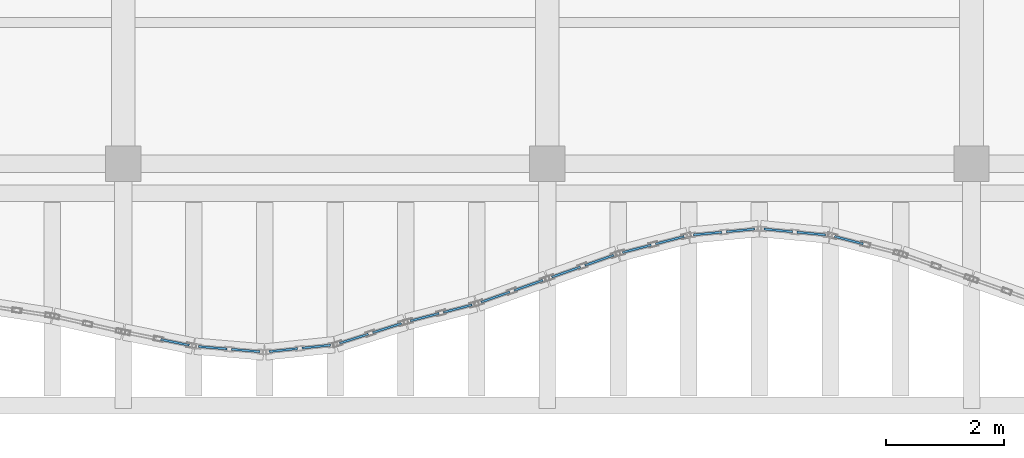
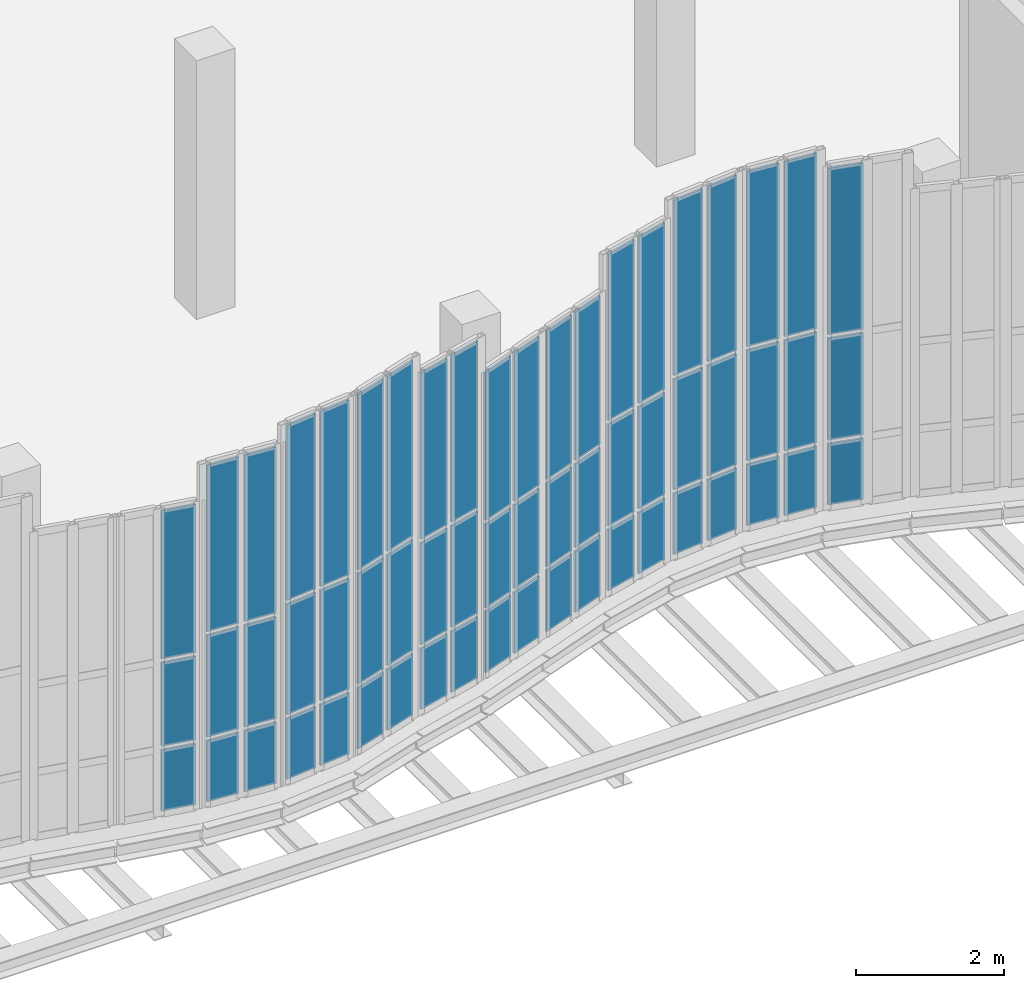
# One storey, part 57 of 76: 60 plates, 11 elements without a shape of their own.
"""IFC4 building model written with IfcOpenShell, lengths in metres."""

import ifcopenshell
import ifcopenshell.guid

model = None  # the IFC model being written
_history = None  # IfcOwnerHistory: only IFC2X3 demands one
_inside = {}  # id of a spatial element -> (the spatial element, [elements in it])
_under = {}  # id of a project, library or spatial element -> (it, [spatial elements below it])
_declared = {}  # id of a project -> (the project, [libraries it declares])
_typed = {}  # id of a type object -> (the type object, [elements of that type])
_made_of = {}  # id of a material, layer set ... -> (it, [elements and type objects made of it])


def new_model(schema):
    """Start an empty IFC model of exactly this schema.

    Asked for "IFC4X3", IfcOpenShell would pick the latest addendum, in which some entities
    have other attributes; the version numbers below select the first issue.
    IFC2X3 requires an IfcOwnerHistory on every rooted entity: one is made here for all.
    """
    global model, _history
    if schema == "IFC4X3":
        model = ifcopenshell.file(schema_version=(4, 3, 0, 0))
    else:
        model = ifcopenshell.file(schema=schema)
    _inside.clear()
    _under.clear()
    _declared.clear()
    _typed.clear()
    _made_of.clear()
    _history = None
    if model.schema == "IFC2X3":
        org = make("IfcOrganization", Name="unknown")
        user = make(
            "IfcPersonAndOrganization",
            ThePerson=make("IfcPerson", FamilyName="unknown"),
            TheOrganization=org,
        )
        app = make(
            "IfcApplication",
            ApplicationDeveloper=org,
            Version="unknown",
            ApplicationFullName="unknown",
            ApplicationIdentifier="unknown",
        )
        _history = make(
            "IfcOwnerHistory",
            OwningUser=user,
            OwningApplication=app,
            ChangeAction="ADDED",
            CreationDate=0,
        )
    return model


def make(cls, **values):
    """One entity of the class cls with the attributes given. An attribute that is None is left unset."""
    return model.create_entity(
        cls, **{name: value for name, value in values.items() if value is not None}
    )


def rooted(cls, **values):
    """An entity with a GlobalId (a new one), such as an element, a storey or a relation."""
    return make(cls, GlobalId=ifcopenshell.guid.new(), OwnerHistory=_history, **values)


def si_unit(unit_type, name, prefix=None):
    """IfcSIUnit, for example si_unit("LENGTHUNIT", "METRE", prefix="MILLI")."""
    return make("IfcSIUnit", UnitType=unit_type, Prefix=prefix, Name=name)


def assignment(units):
    """IfcUnitAssignment: the units of a project."""
    return None if units is None else make("IfcUnitAssignment", Units=units)


def point(xyz):
    """IfcCartesianPoint."""
    return None if xyz is None else make("IfcCartesianPoint", Coordinates=xyz)


def direction(xyz):
    """IfcDirection."""
    return None if xyz is None else make("IfcDirection", DirectionRatios=xyz)


def frame(location, z_axis=None, x_axis=None):
    """IfcAxis2Placement3D, a coordinate frame: its origin and axes. An axis left out is left unset."""
    return make(
        "IfcAxis2Placement3D",
        Location=point(location),
        Axis=direction(z_axis),
        RefDirection=direction(x_axis),
    )


def frame_2d(location, x_axis=None):
    """IfcAxis2Placement2D, a coordinate frame in the plane: its origin and x axis."""
    return make(
        "IfcAxis2Placement2D", Location=point(location), RefDirection=direction(x_axis)
    )


def origin():
    """The frame at (0, 0, 0) with its axes left unset."""
    return frame((0.0, 0.0, 0.0))


def origin_2d():
    """The frame at (0, 0) in the plane with its x axis left unset."""
    return frame_2d((0.0, 0.0))


def place(relative_to, where):
    """IfcLocalPlacement: puts the frame where relative to a parent placement (None: the world)."""
    return make(
        "IfcLocalPlacement", PlacementRelTo=relative_to, RelativePlacement=where
    )


def context(
    kind, dimensions, precision=None, world=None, true_north=None, identifier=None
):
    """IfcGeometricRepresentationContext, for example the 3D "Model" context."""
    return make(
        "IfcGeometricRepresentationContext",
        ContextIdentifier=identifier,
        ContextType=kind,
        CoordinateSpaceDimension=dimensions,
        Precision=precision,
        WorldCoordinateSystem=world,
        TrueNorth=true_north,
    )


def subcontext(parent, identifier, kind, view, scale=None):
    """IfcGeometricRepresentationSubContext, for example "Body" below "Model"."""
    return make(
        "IfcGeometricRepresentationSubContext",
        ContextIdentifier=identifier,
        ContextType=kind,
        ParentContext=parent,
        TargetScale=scale,
        TargetView=view,
    )


def project(units=None, contexts=None):
    """IfcProject with its units and contexts."""
    return rooted(
        "IfcProject",
        Name="project",
        RepresentationContexts=contexts,
        UnitsInContext=assignment(units),
    )


def spatial(cls, under=None, at=None, **own):
    """A site, building, storey or space (cls), placed at a placement, below another one or the project."""
    s = rooted(cls, ObjectPlacement=at, **own)
    if under is not None:
        _under.setdefault(under.id(), (under, []))[1].append(s)
    return s


def profile(cls, at=None, kind="AREA", **sizes):
    """A parametric profile (cls). Its sizes go by their IFC names, for example OverallWidth=200.0."""
    return make(cls, ProfileType=kind, Position=at, **sizes)


def rectangle(**sizes):
    """IfcRectangleProfileDef."""
    return profile("IfcRectangleProfileDef", **sizes)


def extrude(swept, where, along, depth):
    """IfcExtrudedAreaSolid: the profile swept, set in the frame where, extruded along a direction by depth."""
    return make(
        "IfcExtrudedAreaSolid",
        SweptArea=swept,
        Position=where,
        ExtrudedDirection=direction(along),
        Depth=depth,
    )


def shape(context_of_items, identifier, shape_type, items):
    """IfcShapeRepresentation: the items that make up one representation, for example the "Body"."""
    return make(
        "IfcShapeRepresentation",
        ContextOfItems=context_of_items,
        RepresentationIdentifier=identifier,
        RepresentationType=shape_type,
        Items=items,
    )


def material(Name=None, Category=None):
    """IfcMaterial."""
    return make("IfcMaterial", Name=Name, Category=Category)


def layer(
    of_material, thickness, ventilated=None, Name=None, Category=None, Priority=None
):
    """IfcMaterialLayer: one layer of a wall or slab, of a material (None: an air gap)."""
    return make(
        "IfcMaterialLayer",
        Material=of_material,
        LayerThickness=thickness,
        IsVentilated=ventilated,
        Name=Name,
        Category=Category,
        Priority=Priority,
    )


def layer_set(layers, Name=None):
    """IfcMaterialLayerSet."""
    return make("IfcMaterialLayerSet", MaterialLayers=layers, LayerSetName=Name)


def made_of(thing, what):
    """Note that an element or type object is made of a material, layer set ...; save() writes the relation."""
    if what is not None:
        _made_of.setdefault(what.id(), (what, []))[1].append(thing)
    return thing


def type_object(cls, material=None, **own):
    """A type object (cls), such as IfcWallType, which elements share."""
    return made_of(rooted(cls, **own), material)


def element(
    cls,
    number,
    at=None,
    inside=None,
    cuts=None,
    type_object=None,
    material=None,
    context=None,
    identifier="Body",
    shape_type=None,
    held_by="IfcProductDefinitionShape",
    body=None,
    shapes=None,
    **own,
):
    """One element of the class cls, such as IfcWall. Its Tag is "e" and its number.

    at: its placement. inside: the storey or other place that contains it. cuts: it is an
    opening in that element (IfcRelVoidsElement). A single representation is given by context,
    identifier, shape_type and body (its items); several are given by shapes. held_by: the class
    of the entity that holds the representations. save() writes the other relations.
    """
    e = rooted(cls, Tag="e%d" % number, ObjectPlacement=at, **own)
    if body is not None:
        shapes = [shape(context, identifier, shape_type, body)]
    if shapes is not None:
        e.Representation = make(held_by, Representations=shapes)
    if inside is not None:
        _inside.setdefault(inside.id(), (inside, []))[1].append(e)
    if cuts is not None:
        rooted(
            "IfcRelVoidsElement", RelatingBuildingElement=cuts, RelatedOpeningElement=e
        )
    if type_object is not None:
        _typed.setdefault(type_object.id(), (type_object, []))[1].append(e)
    return made_of(e, material)


def aggregate(whole, parts):
    """IfcRelAggregates: a whole, such as a stair, and the parts it consists of."""
    return rooted("IfcRelAggregates", RelatingObject=whole, RelatedObjects=parts)


def save(model, path):
    """Write the relations noted so far, then the file.

    IfcRelAggregates (storeys below a building ...), IfcRelContainedInSpatialStructure (elements
    in a storey), IfcRelDefinesByType, IfcRelAssociatesMaterial and IfcRelDeclares: one each for
    every whole, place, type object, material and project.
    """
    for whole, parts in _under.values():
        aggregate(whole, parts)
    for where, things in _inside.values():
        rooted(
            "IfcRelContainedInSpatialStructure",
            RelatedElements=things,
            RelatingStructure=where,
        )
    for kind, things in _typed.values():
        rooted("IfcRelDefinesByType", RelatedObjects=things, RelatingType=kind)
    for what, things in _made_of.values():
        rooted("IfcRelAssociatesMaterial", RelatedObjects=things, RelatingMaterial=what)
    for by, libraries in _declared.values():
        rooted("IfcRelDeclares", RelatingContext=by, RelatedDefinitions=libraries)
    model.write(path)


model = new_model("IFC4")

# Units and contexts
model_context = context("Model", 3, precision=1e-05, world=origin(), true_north=direction((0.0, 1.0)))
body_context = subcontext(model_context, "Body", "Model", "MODEL_VIEW")
ifc_project = project(units=[si_unit("LENGTHUNIT", "METRE"), si_unit("AREAUNIT", "SQUARE_METRE"), si_unit("VOLUMEUNIT", "CUBIC_METRE"), si_unit("PLANEANGLEUNIT", "RADIAN"), si_unit("MASSUNIT", "GRAM", prefix="KILO"), si_unit("THERMODYNAMICTEMPERATUREUNIT", "KELVIN"), si_unit("POWERUNIT", "WATT")], contexts=[model_context])

# Site, building, storey
site_placement = place(None, origin())
site = spatial("IfcSite", under=ifc_project, at=site_placement, CompositionType="ELEMENT")
building_placement = place(site_placement, origin())
building = spatial("IfcBuilding", under=site, at=building_placement, Name="Kaldorven Railside Theatre", CompositionType="ELEMENT")
storey_placement = place(building_placement, frame((0.0, 0.0, 14.39990234375)))
storey = spatial("IfcBuildingStorey", under=building, at=storey_placement, Name="L03", CompositionType="ELEMENT", Elevation=14.39990234375)

# Curtain wall, plates
ifc_material = material(Name="Low-E laminated solar-control glass", Category="glass")
ifc_layer_1 = layer(ifc_material, 0.159912109375, Name="Low-E laminated solar-control glass")
ifc_layer_set_1 = layer_set([ifc_layer_1], Name="Low-E laminated solar-control glass")
curtain_wall_type_1 = type_object("IfcCurtainWallType", Name="CWT-20", PredefinedType="USERDEFINED", material=ifc_layer_set_1)
curtain_wall_1_placement = place(storey_placement, origin())
curtain_wall_1 = element("IfcCurtainWall", 1, at=curtain_wall_1_placement, inside=storey, type_object=curtain_wall_type_1, Name="Sinusoidal Fluted Curtain Wall CW-L03-S43", ObjectType="FLUTED GLAZING", PredefinedType="USERDEFINED")
ifc_layer_2 = layer(ifc_material, 0.035888671875, Name="Low-E laminated solar-control glass")
ifc_layer_set_2 = layer_set([ifc_layer_2], Name="Low-E laminated solar-control glass")
plate_type = type_object("IfcPlateType", Name="CWP-CREST36", PredefinedType="CURTAIN_PANEL", material=ifc_layer_set_2)
plate_1_placement = place(storey_placement, frame((88.080322265625, 16.169189453125, 0.06005859375), z_axis=(0.0, 0.0, 1.0), x_axis=(0.980122525097, -0.198393134453, 0.0)))
plate_1 = element("IfcPlate", 2, at=plate_1_placement, type_object=plate_type, Name="CW-L03-S43 panel 2.1", PredefinedType="CURTAIN_PANEL", context=body_context, shape_type="SweptSolid", body=[
    extrude(rectangle(XDim=0.4921875, YDim=0.035888671875, at=origin_2d()), origin(), (0.0, 0.0, 1.0), 1.010009765625),
])
plate_2_placement = place(storey_placement, frame((88.080322265625, 16.169189453125, 1.1298828125), z_axis=(0.0, 0.0, 1.0), x_axis=(0.980122525097, -0.198393134453, 0.0)))
plate_2 = element("IfcPlate", 3, at=plate_2_placement, type_object=plate_type, Name="CW-L03-S43 panel 2.2", PredefinedType="CURTAIN_PANEL", context=body_context, shape_type="SweptSolid", body=[
    extrude(rectangle(XDim=0.4921875, YDim=0.035888671875, at=origin_2d()), origin(), (0.0, 0.0, 1.0), 1.385009765625),
])
plate_3_placement = place(storey_placement, frame((88.080322265625, 16.169189453125, 2.574951171875), z_axis=(0.0, 0.0, 1.0), x_axis=(0.980122525097, -0.198393134453, 0.0)))
plate_3 = element("IfcPlate", 4, at=plate_3_placement, type_object=plate_type, Name="CW-L03-S43 panel 2.3", PredefinedType="CURTAIN_PANEL", context=body_context, shape_type="SweptSolid", body=[
    extrude(rectangle(XDim=0.4921875, YDim=0.035888671875, at=origin_2d()), origin(), (0.0, 0.0, 1.0), 2.455078125),
])
aggregate(curtain_wall_1, [plate_1, plate_2, plate_3])

ifc_layer_3 = layer(ifc_material, 0.159912109375, Name="Low-E laminated solar-control glass")
ifc_layer_set_3 = layer_set([ifc_layer_3], Name="Low-E laminated solar-control glass")
curtain_wall_type_2 = type_object("IfcCurtainWallType", Name="CWT-21", PredefinedType="USERDEFINED", material=ifc_layer_set_3)
curtain_wall_2_placement = place(storey_placement, origin())
curtain_wall_2 = element("IfcCurtainWall", 5, at=curtain_wall_2_placement, inside=storey, type_object=curtain_wall_type_2, Name="Sinusoidal Fluted Curtain Wall CW-L03-S44", ObjectType="FLUTED GLAZING", PredefinedType="USERDEFINED")
plate_4_placement = place(storey_placement, frame((88.719970703125, 16.07763671875, 0.06005859375), z_axis=(0.0, 0.0, 1.0), x_axis=(0.996531999326, -0.08321042194, 0.0)))
plate_4 = element("IfcPlate", 6, at=plate_4_placement, type_object=plate_type, Name="CW-L03-S44 panel 1.1", PredefinedType="CURTAIN_PANEL", context=body_context, shape_type="SweptSolid", body=[
    extrude(rectangle(XDim=0.482177734375, YDim=0.035888671875, at=origin_2d()), origin(), (0.0, 0.0, 1.0), 1.010009765625),
])
plate_5_placement = place(storey_placement, frame((88.719970703125, 16.07763671875, 1.130126953125), z_axis=(0.0, 0.0, 1.0), x_axis=(0.996531999326, -0.08321042194, 0.0)))
plate_5 = element("IfcPlate", 7, at=plate_5_placement, type_object=plate_type, Name="CW-L03-S44 panel 1.2", PredefinedType="CURTAIN_PANEL", context=body_context, shape_type="SweptSolid", body=[
    extrude(rectangle(XDim=0.482177734375, YDim=0.035888671875, at=origin_2d()), origin(), (0.0, 0.0, 1.0), 1.68505859375),
])
plate_6_placement = place(storey_placement, frame((88.719970703125, 16.07763671875, 2.875244140625), z_axis=(0.0, 0.0, 1.0), x_axis=(0.996531999326, -0.08321042194, 0.0)))
plate_6 = element("IfcPlate", 8, at=plate_6_placement, type_object=plate_type, Name="CW-L03-S44 panel 1.3", PredefinedType="CURTAIN_PANEL", context=body_context, shape_type="SweptSolid", body=[
    extrude(rectangle(XDim=0.482177734375, YDim=0.035888671875, at=origin_2d()), origin(), (0.0, 0.0, 1.0), 2.7548828125),
])
plate_7_placement = place(storey_placement, frame((89.280029296875, 16.031005859375, 0.06005859375), z_axis=(0.0, 0.0, 1.0), x_axis=(0.996531999326, -0.08321042194, 0.0)))
plate_7 = element("IfcPlate", 9, at=plate_7_placement, type_object=plate_type, Name="CW-L03-S44 panel 2.1", PredefinedType="CURTAIN_PANEL", context=body_context, shape_type="SweptSolid", body=[
    extrude(rectangle(XDim=0.482177734375, YDim=0.035888671875, at=origin_2d()), origin(), (0.0, 0.0, 1.0), 1.010009765625),
])
plate_8_placement = place(storey_placement, frame((89.280029296875, 16.031005859375, 1.130126953125), z_axis=(0.0, 0.0, 1.0), x_axis=(0.996531999326, -0.08321042194, 0.0)))
plate_8 = element("IfcPlate", 10, at=plate_8_placement, type_object=plate_type, Name="CW-L03-S44 panel 2.2", PredefinedType="CURTAIN_PANEL", context=body_context, shape_type="SweptSolid", body=[
    extrude(rectangle(XDim=0.482177734375, YDim=0.035888671875, at=origin_2d()), origin(), (0.0, 0.0, 1.0), 1.68505859375),
])
plate_9_placement = place(storey_placement, frame((89.280029296875, 16.031005859375, 2.875244140625), z_axis=(0.0, 0.0, 1.0), x_axis=(0.996531999326, -0.08321042194, 0.0)))
plate_9 = element("IfcPlate", 11, at=plate_9_placement, type_object=plate_type, Name="CW-L03-S44 panel 2.3", PredefinedType="CURTAIN_PANEL", context=body_context, shape_type="SweptSolid", body=[
    extrude(rectangle(XDim=0.482177734375, YDim=0.035888671875, at=origin_2d()), origin(), (0.0, 0.0, 1.0), 2.7548828125),
])
aggregate(curtain_wall_2, [plate_4, plate_5, plate_6, plate_7, plate_8, plate_9])

ifc_layer_4 = layer(ifc_material, 0.159912109375, Name="Low-E laminated solar-control glass")
ifc_layer_set_4 = layer_set([ifc_layer_4], Name="Low-E laminated solar-control glass")
curtain_wall_type_3 = type_object("IfcCurtainWallType", Name="CWT-10", PredefinedType="USERDEFINED", material=ifc_layer_set_4)
curtain_wall_3_placement = place(storey_placement, origin())
curtain_wall_3 = element("IfcCurtainWall", 12, at=curtain_wall_3_placement, inside=storey, type_object=curtain_wall_type_3, Name="Sinusoidal Fluted Curtain Wall CW-L03-S45", ObjectType="FLUTED GLAZING", PredefinedType="USERDEFINED")
plate_10_placement = place(storey_placement, frame((89.919921875, 16.037841796875, 0.06005859375), z_axis=(0.0, 0.0, 1.0), x_axis=(0.994524056135, 0.104507902898, 0.0)))
plate_10 = element("IfcPlate", 13, at=plate_10_placement, type_object=plate_type, Name="CW-L03-S45 panel 1.1", PredefinedType="CURTAIN_PANEL", context=body_context, shape_type="SweptSolid", body=[
    extrude(rectangle(XDim=0.4833984375, YDim=0.035888671875, at=origin_2d()), origin(), (0.0, 0.0, 1.0), 1.010009765625),
])
plate_11_placement = place(storey_placement, frame((89.919921875, 16.037841796875, 1.130126953125), z_axis=(0.0, 0.0, 1.0), x_axis=(0.994524056135, 0.104507902898, 0.0)))
plate_11 = element("IfcPlate", 14, at=plate_11_placement, type_object=plate_type, Name="CW-L03-S45 panel 1.2", PredefinedType="CURTAIN_PANEL", context=body_context, shape_type="SweptSolid", body=[
    extrude(rectangle(XDim=0.4833984375, YDim=0.035888671875, at=origin_2d()), origin(), (0.0, 0.0, 1.0), 1.830078125),
])
plate_12_placement = place(storey_placement, frame((89.919921875, 16.037841796875, 3.020263671875), z_axis=(0.0, 0.0, 1.0), x_axis=(0.994524056135, 0.104507902898, 0.0)))
plate_12 = element("IfcPlate", 15, at=plate_12_placement, type_object=plate_type, Name="CW-L03-S45 panel 1.3", PredefinedType="CURTAIN_PANEL", context=body_context, shape_type="SweptSolid", body=[
    extrude(rectangle(XDim=0.4833984375, YDim=0.035888671875, at=origin_2d()), origin(), (0.0, 0.0, 1.0), 2.89990234375),
])
plate_13_placement = place(storey_placement, frame((90.480224609375, 16.0966796875, 0.06005859375), z_axis=(0.0, 0.0, 1.0), x_axis=(0.994524056135, 0.104507902898, 0.0)))
plate_13 = element("IfcPlate", 16, at=plate_13_placement, type_object=plate_type, Name="CW-L03-S45 panel 2.1", PredefinedType="CURTAIN_PANEL", context=body_context, shape_type="SweptSolid", body=[
    extrude(rectangle(XDim=0.4833984375, YDim=0.035888671875, at=origin_2d()), origin(), (0.0, 0.0, 1.0), 1.010009765625),
])
plate_14_placement = place(storey_placement, frame((90.480224609375, 16.0966796875, 1.130126953125), z_axis=(0.0, 0.0, 1.0), x_axis=(0.994524056135, 0.104507902898, 0.0)))
plate_14 = element("IfcPlate", 17, at=plate_14_placement, type_object=plate_type, Name="CW-L03-S45 panel 2.2", PredefinedType="CURTAIN_PANEL", context=body_context, shape_type="SweptSolid", body=[
    extrude(rectangle(XDim=0.4833984375, YDim=0.035888671875, at=origin_2d()), origin(), (0.0, 0.0, 1.0), 1.830078125),
])
plate_15_placement = place(storey_placement, frame((90.480224609375, 16.0966796875, 3.020263671875), z_axis=(0.0, 0.0, 1.0), x_axis=(0.994524056135, 0.104507902898, 0.0)))
plate_15 = element("IfcPlate", 18, at=plate_15_placement, type_object=plate_type, Name="CW-L03-S45 panel 2.3", PredefinedType="CURTAIN_PANEL", context=body_context, shape_type="SweptSolid", body=[
    extrude(rectangle(XDim=0.4833984375, YDim=0.035888671875, at=origin_2d()), origin(), (0.0, 0.0, 1.0), 2.89990234375),
])
aggregate(curtain_wall_3, [plate_10, plate_11, plate_12, plate_13, plate_14, plate_15])

ifc_layer_5 = layer(ifc_material, 0.159912109375, Name="Low-E laminated solar-control glass")
ifc_layer_set_5 = layer_set([ifc_layer_5], Name="Low-E laminated solar-control glass")
curtain_wall_type_4 = type_object("IfcCurtainWallType", Name="CWT-11", PredefinedType="USERDEFINED", material=ifc_layer_set_5)
curtain_wall_4_placement = place(storey_placement, origin())
curtain_wall_4 = element("IfcCurtainWall", 19, at=curtain_wall_4_placement, inside=storey, type_object=curtain_wall_type_4, Name="Sinusoidal Fluted Curtain Wall CW-L03-S46", ObjectType="FLUTED GLAZING", PredefinedType="USERDEFINED")
plate_16_placement = place(storey_placement, frame((91.119140625, 16.232177734375, 0.06005859375), z_axis=(0.0, 0.0, 1.0), x_axis=(0.952516267779, 0.304487700272, 0.0)))
plate_16 = element("IfcPlate", 20, at=plate_16_placement, type_object=plate_type, Name="CW-L03-S46 panel 1.1", PredefinedType="CURTAIN_PANEL", context=body_context, shape_type="SweptSolid", body=[
    extrude(rectangle(XDim=0.510009765625, YDim=0.035888671875, at=origin_2d()), origin(), (0.0, 0.0, 1.0), 1.010009765625),
])
plate_17_placement = place(storey_placement, frame((91.119140625, 16.232177734375, 1.130126953125), z_axis=(0.0, 0.0, 1.0), x_axis=(0.952516267779, 0.304487700272, 0.0)))
plate_17 = element("IfcPlate", 21, at=plate_17_placement, type_object=plate_type, Name="CW-L03-S46 panel 1.2", PredefinedType="CURTAIN_PANEL", context=body_context, shape_type="SweptSolid", body=[
    extrude(rectangle(XDim=0.510009765625, YDim=0.035888671875, at=origin_2d()), origin(), (0.0, 0.0, 1.0), 1.830078125),
])
plate_18_placement = place(storey_placement, frame((91.119140625, 16.232177734375, 3.020263671875), z_axis=(0.0, 0.0, 1.0), x_axis=(0.952516267779, 0.304487700272, 0.0)))
plate_18 = element("IfcPlate", 22, at=plate_18_placement, type_object=plate_type, Name="CW-L03-S46 panel 1.3", PredefinedType="CURTAIN_PANEL", context=body_context, shape_type="SweptSolid", body=[
    extrude(rectangle(XDim=0.510009765625, YDim=0.035888671875, at=origin_2d()), origin(), (0.0, 0.0, 1.0), 2.89990234375),
])
plate_19_placement = place(storey_placement, frame((91.680908203125, 16.411865234375, 0.06005859375), z_axis=(0.0, 0.0, 1.0), x_axis=(0.952516267779, 0.304487700272, 0.0)))
plate_19 = element("IfcPlate", 23, at=plate_19_placement, type_object=plate_type, Name="CW-L03-S46 panel 2.1", PredefinedType="CURTAIN_PANEL", context=body_context, shape_type="SweptSolid", body=[
    extrude(rectangle(XDim=0.510009765625, YDim=0.035888671875, at=origin_2d()), origin(), (0.0, 0.0, 1.0), 1.010009765625),
])
plate_20_placement = place(storey_placement, frame((91.680908203125, 16.411865234375, 1.130126953125), z_axis=(0.0, 0.0, 1.0), x_axis=(0.952516267779, 0.304487700272, 0.0)))
plate_20 = element("IfcPlate", 24, at=plate_20_placement, type_object=plate_type, Name="CW-L03-S46 panel 2.2", PredefinedType="CURTAIN_PANEL", context=body_context, shape_type="SweptSolid", body=[
    extrude(rectangle(XDim=0.510009765625, YDim=0.035888671875, at=origin_2d()), origin(), (0.0, 0.0, 1.0), 1.830078125),
])
plate_21_placement = place(storey_placement, frame((91.680908203125, 16.411865234375, 3.020263671875), z_axis=(0.0, 0.0, 1.0), x_axis=(0.952516267779, 0.304487700272, 0.0)))
plate_21 = element("IfcPlate", 25, at=plate_21_placement, type_object=plate_type, Name="CW-L03-S46 panel 2.3", PredefinedType="CURTAIN_PANEL", context=body_context, shape_type="SweptSolid", body=[
    extrude(rectangle(XDim=0.510009765625, YDim=0.035888671875, at=origin_2d()), origin(), (0.0, 0.0, 1.0), 2.89990234375),
])
aggregate(curtain_wall_4, [plate_16, plate_17, plate_18, plate_19, plate_20, plate_21])

ifc_layer_6 = layer(ifc_material, 0.159912109375, Name="Low-E laminated solar-control glass")
ifc_layer_set_6 = layer_set([ifc_layer_6], Name="Low-E laminated solar-control glass")
curtain_wall_type_5 = type_object("IfcCurtainWallType", Name="CWT-09", PredefinedType="USERDEFINED", material=ifc_layer_set_6)
curtain_wall_5_placement = place(storey_placement, origin())
curtain_wall_5 = element("IfcCurtainWall", 26, at=curtain_wall_5_placement, inside=storey, type_object=curtain_wall_type_5, Name="Sinusoidal Fluted Curtain Wall CW-L03-S47", ObjectType="FLUTED GLAZING", PredefinedType="USERDEFINED")
plate_22_placement = place(storey_placement, frame((92.3193359375, 16.5966796875, 0.06005859375), z_axis=(0.0, 0.0, 1.0), x_axis=(0.967999075505, 0.250953760326, 0.0)))
plate_22 = element("IfcPlate", 27, at=plate_22_placement, type_object=plate_type, Name="CW-L03-S47 panel 1.1", PredefinedType="CURTAIN_PANEL", context=body_context, shape_type="SweptSolid", body=[
    extrude(rectangle(XDim=0.499755859375, YDim=0.035888671875, at=origin_2d()), origin(), (0.0, 0.0, 1.0), 1.010009765625),
])
plate_23_placement = place(storey_placement, frame((92.3193359375, 16.5966796875, 1.130126953125), z_axis=(0.0, 0.0, 1.0), x_axis=(0.967999075505, 0.250953760326, 0.0)))
plate_23 = element("IfcPlate", 28, at=plate_23_placement, type_object=plate_type, Name="CW-L03-S47 panel 1.2", PredefinedType="CURTAIN_PANEL", context=body_context, shape_type="SweptSolid", body=[
    extrude(rectangle(XDim=0.499755859375, YDim=0.035888671875, at=origin_2d()), origin(), (0.0, 0.0, 1.0), 1.68505859375),
])
plate_24_placement = place(storey_placement, frame((92.3193359375, 16.5966796875, 2.875244140625), z_axis=(0.0, 0.0, 1.0), x_axis=(0.967999075505, 0.250953760326, 0.0)))
plate_24 = element("IfcPlate", 29, at=plate_24_placement, type_object=plate_type, Name="CW-L03-S47 panel 1.3", PredefinedType="CURTAIN_PANEL", context=body_context, shape_type="SweptSolid", body=[
    extrude(rectangle(XDim=0.499755859375, YDim=0.035888671875, at=origin_2d()), origin(), (0.0, 0.0, 1.0), 2.7548828125),
])
plate_25_placement = place(storey_placement, frame((92.880615234375, 16.7421875, 0.06005859375), z_axis=(0.0, 0.0, 1.0), x_axis=(0.967999075505, 0.250953760326, 0.0)))
plate_25 = element("IfcPlate", 30, at=plate_25_placement, type_object=plate_type, Name="CW-L03-S47 panel 2.1", PredefinedType="CURTAIN_PANEL", context=body_context, shape_type="SweptSolid", body=[
    extrude(rectangle(XDim=0.499755859375, YDim=0.035888671875, at=origin_2d()), origin(), (0.0, 0.0, 1.0), 1.010009765625),
])
plate_26_placement = place(storey_placement, frame((92.880615234375, 16.7421875, 1.130126953125), z_axis=(0.0, 0.0, 1.0), x_axis=(0.967999075505, 0.250953760326, 0.0)))
plate_26 = element("IfcPlate", 31, at=plate_26_placement, type_object=plate_type, Name="CW-L03-S47 panel 2.2", PredefinedType="CURTAIN_PANEL", context=body_context, shape_type="SweptSolid", body=[
    extrude(rectangle(XDim=0.499755859375, YDim=0.035888671875, at=origin_2d()), origin(), (0.0, 0.0, 1.0), 1.68505859375),
])
plate_27_placement = place(storey_placement, frame((92.880615234375, 16.7421875, 2.875244140625), z_axis=(0.0, 0.0, 1.0), x_axis=(0.967999075505, 0.250953760326, 0.0)))
plate_27 = element("IfcPlate", 32, at=plate_27_placement, type_object=plate_type, Name="CW-L03-S47 panel 2.3", PredefinedType="CURTAIN_PANEL", context=body_context, shape_type="SweptSolid", body=[
    extrude(rectangle(XDim=0.499755859375, YDim=0.035888671875, at=origin_2d()), origin(), (0.0, 0.0, 1.0), 2.7548828125),
])
aggregate(curtain_wall_5, [plate_22, plate_23, plate_24, plate_25, plate_26, plate_27])

ifc_layer_7 = layer(ifc_material, 0.159912109375, Name="Low-E laminated solar-control glass")
ifc_layer_set_7 = layer_set([ifc_layer_7], Name="Low-E laminated solar-control glass")
curtain_wall_type_6 = type_object("IfcCurtainWallType", Name="CWT-08", PredefinedType="USERDEFINED", material=ifc_layer_set_7)
curtain_wall_6_placement = place(storey_placement, origin())
curtain_wall_6 = element("IfcCurtainWall", 33, at=curtain_wall_6_placement, inside=storey, type_object=curtain_wall_type_6, Name="Sinusoidal Fluted Curtain Wall CW-L03-S48", ObjectType="FLUTED GLAZING", PredefinedType="USERDEFINED")
plate_28_placement = place(storey_placement, frame((93.518798828125, 16.93798828125, 0.06005859375), z_axis=(0.0, 0.0, 1.0), x_axis=(0.942627225159, 0.33384714225, 0.0)))
plate_28 = element("IfcPlate", 34, at=plate_28_placement, type_object=plate_type, Name="CW-L03-S48 panel 1.1", PredefinedType="CURTAIN_PANEL", context=body_context, shape_type="SweptSolid", body=[
    extrude(rectangle(XDim=0.5166015625, YDim=0.035888671875, at=origin_2d()), origin(), (0.0, 0.0, 1.0), 1.010009765625),
])
plate_29_placement = place(storey_placement, frame((93.518798828125, 16.93798828125, 1.1298828125), z_axis=(0.0, 0.0, 1.0), x_axis=(0.942627225159, 0.33384714225, 0.0)))
plate_29 = element("IfcPlate", 35, at=plate_29_placement, type_object=plate_type, Name="CW-L03-S48 panel 1.2", PredefinedType="CURTAIN_PANEL", context=body_context, shape_type="SweptSolid", body=[
    extrude(rectangle(XDim=0.5166015625, YDim=0.035888671875, at=origin_2d()), origin(), (0.0, 0.0, 1.0), 1.385009765625),
])
plate_30_placement = place(storey_placement, frame((93.518798828125, 16.93798828125, 2.574951171875), z_axis=(0.0, 0.0, 1.0), x_axis=(0.942627225159, 0.33384714225, 0.0)))
plate_30 = element("IfcPlate", 36, at=plate_30_placement, type_object=plate_type, Name="CW-L03-S48 panel 1.3", PredefinedType="CURTAIN_PANEL", context=body_context, shape_type="SweptSolid", body=[
    extrude(rectangle(XDim=0.5166015625, YDim=0.035888671875, at=origin_2d()), origin(), (0.0, 0.0, 1.0), 2.455078125),
])
plate_31_placement = place(storey_placement, frame((94.0810546875, 17.136962890625, 0.06005859375), z_axis=(0.0, 0.0, 1.0), x_axis=(0.942627225159, 0.33384714225, 0.0)))
plate_31 = element("IfcPlate", 37, at=plate_31_placement, type_object=plate_type, Name="CW-L03-S48 panel 2.1", PredefinedType="CURTAIN_PANEL", context=body_context, shape_type="SweptSolid", body=[
    extrude(rectangle(XDim=0.5166015625, YDim=0.035888671875, at=origin_2d()), origin(), (0.0, 0.0, 1.0), 1.010009765625),
])
plate_32_placement = place(storey_placement, frame((94.0810546875, 17.136962890625, 1.1298828125), z_axis=(0.0, 0.0, 1.0), x_axis=(0.942627225159, 0.33384714225, 0.0)))
plate_32 = element("IfcPlate", 38, at=plate_32_placement, type_object=plate_type, Name="CW-L03-S48 panel 2.2", PredefinedType="CURTAIN_PANEL", context=body_context, shape_type="SweptSolid", body=[
    extrude(rectangle(XDim=0.5166015625, YDim=0.035888671875, at=origin_2d()), origin(), (0.0, 0.0, 1.0), 1.385009765625),
])
plate_33_placement = place(storey_placement, frame((94.0810546875, 17.136962890625, 2.574951171875), z_axis=(0.0, 0.0, 1.0), x_axis=(0.942627225159, 0.33384714225, 0.0)))
plate_33 = element("IfcPlate", 39, at=plate_33_placement, type_object=plate_type, Name="CW-L03-S48 panel 2.3", PredefinedType="CURTAIN_PANEL", context=body_context, shape_type="SweptSolid", body=[
    extrude(rectangle(XDim=0.5166015625, YDim=0.035888671875, at=origin_2d()), origin(), (0.0, 0.0, 1.0), 2.455078125),
])
aggregate(curtain_wall_6, [plate_28, plate_29, plate_30, plate_31, plate_32, plate_33])

curtain_wall_7_placement = place(storey_placement, origin())
curtain_wall_7 = element("IfcCurtainWall", 40, at=curtain_wall_7_placement, inside=storey, type_object=curtain_wall_type_6, Name="Sinusoidal Fluted Curtain Wall CW-L03-S49", ObjectType="FLUTED GLAZING", PredefinedType="USERDEFINED")
plate_34_placement = place(storey_placement, frame((94.71875, 17.363037109375, 0.06005859375), z_axis=(0.0, 0.0, 1.0), x_axis=(0.942627225159, 0.33384714225, 0.0)))
plate_34 = element("IfcPlate", 41, at=plate_34_placement, type_object=plate_type, Name="CW-L03-S49 panel 1.1", PredefinedType="CURTAIN_PANEL", context=body_context, shape_type="SweptSolid", body=[
    extrude(rectangle(XDim=0.5166015625, YDim=0.035888671875, at=origin_2d()), origin(), (0.0, 0.0, 1.0), 1.010009765625),
])
plate_35_placement = place(storey_placement, frame((94.71875, 17.363037109375, 1.1298828125), z_axis=(0.0, 0.0, 1.0), x_axis=(0.942627225159, 0.33384714225, 0.0)))
plate_35 = element("IfcPlate", 42, at=plate_35_placement, type_object=plate_type, Name="CW-L03-S49 panel 1.2", PredefinedType="CURTAIN_PANEL", context=body_context, shape_type="SweptSolid", body=[
    extrude(rectangle(XDim=0.5166015625, YDim=0.035888671875, at=origin_2d()), origin(), (0.0, 0.0, 1.0), 1.385009765625),
])
plate_36_placement = place(storey_placement, frame((94.71875, 17.363037109375, 2.574951171875), z_axis=(0.0, 0.0, 1.0), x_axis=(0.942627225159, 0.33384714225, 0.0)))
plate_36 = element("IfcPlate", 43, at=plate_36_placement, type_object=plate_type, Name="CW-L03-S49 panel 1.3", PredefinedType="CURTAIN_PANEL", context=body_context, shape_type="SweptSolid", body=[
    extrude(rectangle(XDim=0.5166015625, YDim=0.035888671875, at=origin_2d()), origin(), (0.0, 0.0, 1.0), 2.455078125),
])
plate_37_placement = place(storey_placement, frame((95.28125, 17.56201171875, 0.06005859375), z_axis=(0.0, 0.0, 1.0), x_axis=(0.942627225159, 0.33384714225, 0.0)))
plate_37 = element("IfcPlate", 44, at=plate_37_placement, type_object=plate_type, Name="CW-L03-S49 panel 2.1", PredefinedType="CURTAIN_PANEL", context=body_context, shape_type="SweptSolid", body=[
    extrude(rectangle(XDim=0.5166015625, YDim=0.035888671875, at=origin_2d()), origin(), (0.0, 0.0, 1.0), 1.010009765625),
])
plate_38_placement = place(storey_placement, frame((95.28125, 17.56201171875, 1.1298828125), z_axis=(0.0, 0.0, 1.0), x_axis=(0.942627225159, 0.33384714225, 0.0)))
plate_38 = element("IfcPlate", 45, at=plate_38_placement, type_object=plate_type, Name="CW-L03-S49 panel 2.2", PredefinedType="CURTAIN_PANEL", context=body_context, shape_type="SweptSolid", body=[
    extrude(rectangle(XDim=0.5166015625, YDim=0.035888671875, at=origin_2d()), origin(), (0.0, 0.0, 1.0), 1.385009765625),
])
plate_39_placement = place(storey_placement, frame((95.28125, 17.56201171875, 2.574951171875), z_axis=(0.0, 0.0, 1.0), x_axis=(0.942627225159, 0.33384714225, 0.0)))
plate_39 = element("IfcPlate", 46, at=plate_39_placement, type_object=plate_type, Name="CW-L03-S49 panel 2.3", PredefinedType="CURTAIN_PANEL", context=body_context, shape_type="SweptSolid", body=[
    extrude(rectangle(XDim=0.5166015625, YDim=0.035888671875, at=origin_2d()), origin(), (0.0, 0.0, 1.0), 2.455078125),
])
aggregate(curtain_wall_7, [plate_34, plate_35, plate_36, plate_37, plate_38, plate_39])

curtain_wall_8_placement = place(storey_placement, origin())
curtain_wall_8 = element("IfcCurtainWall", 47, at=curtain_wall_8_placement, inside=storey, type_object=curtain_wall_type_5, Name="Sinusoidal Fluted Curtain Wall CW-L03-S50", ObjectType="FLUTED GLAZING", PredefinedType="USERDEFINED")
plate_40_placement = place(storey_placement, frame((95.91943359375, 17.7578125, 0.06005859375), z_axis=(0.0, 0.0, 1.0), x_axis=(0.967999075505, 0.250953760326, 0.0)))
plate_40 = element("IfcPlate", 48, at=plate_40_placement, type_object=plate_type, Name="CW-L03-S50 panel 1.1", PredefinedType="CURTAIN_PANEL", context=body_context, shape_type="SweptSolid", body=[
    extrude(rectangle(XDim=0.499755859375, YDim=0.035888671875, at=origin_2d()), origin(), (0.0, 0.0, 1.0), 1.010009765625),
])
plate_41_placement = place(storey_placement, frame((95.91943359375, 17.7578125, 1.130126953125), z_axis=(0.0, 0.0, 1.0), x_axis=(0.967999075505, 0.250953760326, 0.0)))
plate_41 = element("IfcPlate", 49, at=plate_41_placement, type_object=plate_type, Name="CW-L03-S50 panel 1.2", PredefinedType="CURTAIN_PANEL", context=body_context, shape_type="SweptSolid", body=[
    extrude(rectangle(XDim=0.499755859375, YDim=0.035888671875, at=origin_2d()), origin(), (0.0, 0.0, 1.0), 1.68505859375),
])
plate_42_placement = place(storey_placement, frame((95.91943359375, 17.7578125, 2.875244140625), z_axis=(0.0, 0.0, 1.0), x_axis=(0.967999075505, 0.250953760326, 0.0)))
plate_42 = element("IfcPlate", 50, at=plate_42_placement, type_object=plate_type, Name="CW-L03-S50 panel 1.3", PredefinedType="CURTAIN_PANEL", context=body_context, shape_type="SweptSolid", body=[
    extrude(rectangle(XDim=0.499755859375, YDim=0.035888671875, at=origin_2d()), origin(), (0.0, 0.0, 1.0), 2.7548828125),
])
plate_43_placement = place(storey_placement, frame((96.480712890625, 17.9033203125, 0.06005859375), z_axis=(0.0, 0.0, 1.0), x_axis=(0.967999075505, 0.250953760326, 0.0)))
plate_43 = element("IfcPlate", 51, at=plate_43_placement, type_object=plate_type, Name="CW-L03-S50 panel 2.1", PredefinedType="CURTAIN_PANEL", context=body_context, shape_type="SweptSolid", body=[
    extrude(rectangle(XDim=0.499755859375, YDim=0.035888671875, at=origin_2d()), origin(), (0.0, 0.0, 1.0), 1.010009765625),
])
plate_44_placement = place(storey_placement, frame((96.480712890625, 17.9033203125, 1.130126953125), z_axis=(0.0, 0.0, 1.0), x_axis=(0.967999075505, 0.250953760326, 0.0)))
plate_44 = element("IfcPlate", 52, at=plate_44_placement, type_object=plate_type, Name="CW-L03-S50 panel 2.2", PredefinedType="CURTAIN_PANEL", context=body_context, shape_type="SweptSolid", body=[
    extrude(rectangle(XDim=0.499755859375, YDim=0.035888671875, at=origin_2d()), origin(), (0.0, 0.0, 1.0), 1.68505859375),
])
plate_45_placement = place(storey_placement, frame((96.480712890625, 17.9033203125, 2.875244140625), z_axis=(0.0, 0.0, 1.0), x_axis=(0.967999075505, 0.250953760326, 0.0)))
plate_45 = element("IfcPlate", 53, at=plate_45_placement, type_object=plate_type, Name="CW-L03-S50 panel 2.3", PredefinedType="CURTAIN_PANEL", context=body_context, shape_type="SweptSolid", body=[
    extrude(rectangle(XDim=0.499755859375, YDim=0.035888671875, at=origin_2d()), origin(), (0.0, 0.0, 1.0), 2.7548828125),
])
aggregate(curtain_wall_8, [plate_40, plate_41, plate_42, plate_43, plate_44, plate_45])

curtain_wall_9_placement = place(storey_placement, origin())
curtain_wall_9 = element("IfcCurtainWall", 54, at=curtain_wall_9_placement, inside=storey, type_object=curtain_wall_type_3, Name="Sinusoidal Fluted Curtain Wall CW-L03-S51", ObjectType="FLUTED GLAZING", PredefinedType="USERDEFINED")
plate_46_placement = place(storey_placement, frame((97.119873046875, 18.016357421875, 0.06005859375), z_axis=(0.0, 0.0, 1.0), x_axis=(0.995525623425, 0.094491973758, 0.0)))
plate_46 = element("IfcPlate", 55, at=plate_46_placement, type_object=plate_type, Name="CW-L03-S51 panel 1.1", PredefinedType="CURTAIN_PANEL", context=body_context, shape_type="SweptSolid", body=[
    extrude(rectangle(XDim=0.482666015625, YDim=0.035888671875, at=origin_2d()), origin(), (0.0, 0.0, 1.0), 1.010009765625),
])
plate_47_placement = place(storey_placement, frame((97.119873046875, 18.016357421875, 1.130126953125), z_axis=(0.0, 0.0, 1.0), x_axis=(0.995525623425, 0.094491973758, 0.0)))
plate_47 = element("IfcPlate", 56, at=plate_47_placement, type_object=plate_type, Name="CW-L03-S51 panel 1.2", PredefinedType="CURTAIN_PANEL", context=body_context, shape_type="SweptSolid", body=[
    extrude(rectangle(XDim=0.482666015625, YDim=0.035888671875, at=origin_2d()), origin(), (0.0, 0.0, 1.0), 1.830078125),
])
plate_48_placement = place(storey_placement, frame((97.119873046875, 18.016357421875, 3.020263671875), z_axis=(0.0, 0.0, 1.0), x_axis=(0.995525623425, 0.094491973758, 0.0)))
plate_48 = element("IfcPlate", 57, at=plate_48_placement, type_object=plate_type, Name="CW-L03-S51 panel 1.3", PredefinedType="CURTAIN_PANEL", context=body_context, shape_type="SweptSolid", body=[
    extrude(rectangle(XDim=0.482666015625, YDim=0.035888671875, at=origin_2d()), origin(), (0.0, 0.0, 1.0), 2.89990234375),
])
plate_49_placement = place(storey_placement, frame((97.68017578125, 18.069580078125, 0.06005859375), z_axis=(0.0, 0.0, 1.0), x_axis=(0.995525623425, 0.094491973758, 0.0)))
plate_49 = element("IfcPlate", 58, at=plate_49_placement, type_object=plate_type, Name="CW-L03-S51 panel 2.1", PredefinedType="CURTAIN_PANEL", context=body_context, shape_type="SweptSolid", body=[
    extrude(rectangle(XDim=0.482666015625, YDim=0.035888671875, at=origin_2d()), origin(), (0.0, 0.0, 1.0), 1.010009765625),
])
plate_50_placement = place(storey_placement, frame((97.68017578125, 18.069580078125, 1.130126953125), z_axis=(0.0, 0.0, 1.0), x_axis=(0.995525623425, 0.094491973758, 0.0)))
plate_50 = element("IfcPlate", 59, at=plate_50_placement, type_object=plate_type, Name="CW-L03-S51 panel 2.2", PredefinedType="CURTAIN_PANEL", context=body_context, shape_type="SweptSolid", body=[
    extrude(rectangle(XDim=0.482666015625, YDim=0.035888671875, at=origin_2d()), origin(), (0.0, 0.0, 1.0), 1.830078125),
])
plate_51_placement = place(storey_placement, frame((97.68017578125, 18.069580078125, 3.020263671875), z_axis=(0.0, 0.0, 1.0), x_axis=(0.995525623425, 0.094491973758, 0.0)))
plate_51 = element("IfcPlate", 60, at=plate_51_placement, type_object=plate_type, Name="CW-L03-S51 panel 2.3", PredefinedType="CURTAIN_PANEL", context=body_context, shape_type="SweptSolid", body=[
    extrude(rectangle(XDim=0.482666015625, YDim=0.035888671875, at=origin_2d()), origin(), (0.0, 0.0, 1.0), 2.89990234375),
])
aggregate(curtain_wall_9, [plate_46, plate_47, plate_48, plate_49, plate_50, plate_51])

curtain_wall_10_placement = place(storey_placement, origin())
curtain_wall_10 = element("IfcCurtainWall", 61, at=curtain_wall_10_placement, inside=storey, type_object=curtain_wall_type_3, Name="Sinusoidal Fluted Curtain Wall CW-L03-S52", ObjectType="FLUTED GLAZING", PredefinedType="USERDEFINED")
plate_52_placement = place(storey_placement, frame((98.31982421875, 18.069580078125, 0.06005859375), z_axis=(0.0, 0.0, 1.0), x_axis=(0.995525623425, -0.094491973758, 0.0)))
plate_52 = element("IfcPlate", 62, at=plate_52_placement, type_object=plate_type, Name="CW-L03-S52 panel 1.1", PredefinedType="CURTAIN_PANEL", context=body_context, shape_type="SweptSolid", body=[
    extrude(rectangle(XDim=0.482666015625, YDim=0.035888671875, at=origin_2d()), origin(), (0.0, 0.0, 1.0), 1.010009765625),
])
plate_53_placement = place(storey_placement, frame((98.31982421875, 18.069580078125, 1.130126953125), z_axis=(0.0, 0.0, 1.0), x_axis=(0.995525623425, -0.094491973758, 0.0)))
plate_53 = element("IfcPlate", 63, at=plate_53_placement, type_object=plate_type, Name="CW-L03-S52 panel 1.2", PredefinedType="CURTAIN_PANEL", context=body_context, shape_type="SweptSolid", body=[
    extrude(rectangle(XDim=0.482666015625, YDim=0.035888671875, at=origin_2d()), origin(), (0.0, 0.0, 1.0), 1.830078125),
])
plate_54_placement = place(storey_placement, frame((98.31982421875, 18.069580078125, 3.020263671875), z_axis=(0.0, 0.0, 1.0), x_axis=(0.995525623425, -0.094491973758, 0.0)))
plate_54 = element("IfcPlate", 64, at=plate_54_placement, type_object=plate_type, Name="CW-L03-S52 panel 1.3", PredefinedType="CURTAIN_PANEL", context=body_context, shape_type="SweptSolid", body=[
    extrude(rectangle(XDim=0.482666015625, YDim=0.035888671875, at=origin_2d()), origin(), (0.0, 0.0, 1.0), 2.89990234375),
])
plate_55_placement = place(storey_placement, frame((98.880126953125, 18.016357421875, 0.06005859375), z_axis=(0.0, 0.0, 1.0), x_axis=(0.995525623425, -0.094491973758, 0.0)))
plate_55 = element("IfcPlate", 65, at=plate_55_placement, type_object=plate_type, Name="CW-L03-S52 panel 2.1", PredefinedType="CURTAIN_PANEL", context=body_context, shape_type="SweptSolid", body=[
    extrude(rectangle(XDim=0.482666015625, YDim=0.035888671875, at=origin_2d()), origin(), (0.0, 0.0, 1.0), 1.010009765625),
])
plate_56_placement = place(storey_placement, frame((98.880126953125, 18.016357421875, 1.130126953125), z_axis=(0.0, 0.0, 1.0), x_axis=(0.995525623425, -0.094491973758, 0.0)))
plate_56 = element("IfcPlate", 66, at=plate_56_placement, type_object=plate_type, Name="CW-L03-S52 panel 2.2", PredefinedType="CURTAIN_PANEL", context=body_context, shape_type="SweptSolid", body=[
    extrude(rectangle(XDim=0.482666015625, YDim=0.035888671875, at=origin_2d()), origin(), (0.0, 0.0, 1.0), 1.830078125),
])
plate_57_placement = place(storey_placement, frame((98.880126953125, 18.016357421875, 3.020263671875), z_axis=(0.0, 0.0, 1.0), x_axis=(0.995525623425, -0.094491973758, 0.0)))
plate_57 = element("IfcPlate", 67, at=plate_57_placement, type_object=plate_type, Name="CW-L03-S52 panel 2.3", PredefinedType="CURTAIN_PANEL", context=body_context, shape_type="SweptSolid", body=[
    extrude(rectangle(XDim=0.482666015625, YDim=0.035888671875, at=origin_2d()), origin(), (0.0, 0.0, 1.0), 2.89990234375),
])
aggregate(curtain_wall_10, [plate_52, plate_53, plate_54, plate_55, plate_56, plate_57])

curtain_wall_11_placement = place(storey_placement, origin())
curtain_wall_11 = element("IfcCurtainWall", 68, at=curtain_wall_11_placement, inside=storey, type_object=curtain_wall_type_5, Name="Sinusoidal Fluted Curtain Wall CW-L03-S53", ObjectType="FLUTED GLAZING", PredefinedType="USERDEFINED")
plate_58_placement = place(storey_placement, frame((99.519287109375, 17.9033203125, 0.06005859375), z_axis=(0.0, 0.0, 1.0), x_axis=(0.967999075505, -0.250953760326, 0.0)))
plate_58 = element("IfcPlate", 69, at=plate_58_placement, type_object=plate_type, Name="CW-L03-S53 panel 1.1", PredefinedType="CURTAIN_PANEL", context=body_context, shape_type="SweptSolid", body=[
    extrude(rectangle(XDim=0.499755859375, YDim=0.035888671875, at=origin_2d()), origin(), (0.0, 0.0, 1.0), 1.010009765625),
])
plate_59_placement = place(storey_placement, frame((99.519287109375, 17.9033203125, 1.130126953125), z_axis=(0.0, 0.0, 1.0), x_axis=(0.967999075505, -0.250953760326, 0.0)))
plate_59 = element("IfcPlate", 70, at=plate_59_placement, type_object=plate_type, Name="CW-L03-S53 panel 1.2", PredefinedType="CURTAIN_PANEL", context=body_context, shape_type="SweptSolid", body=[
    extrude(rectangle(XDim=0.499755859375, YDim=0.035888671875, at=origin_2d()), origin(), (0.0, 0.0, 1.0), 1.68505859375),
])
plate_60_placement = place(storey_placement, frame((99.519287109375, 17.9033203125, 2.875244140625), z_axis=(0.0, 0.0, 1.0), x_axis=(0.967999075505, -0.250953760326, 0.0)))
plate_60 = element("IfcPlate", 71, at=plate_60_placement, type_object=plate_type, Name="CW-L03-S53 panel 1.3", PredefinedType="CURTAIN_PANEL", context=body_context, shape_type="SweptSolid", body=[
    extrude(rectangle(XDim=0.499755859375, YDim=0.035888671875, at=origin_2d()), origin(), (0.0, 0.0, 1.0), 2.7548828125),
])
aggregate(curtain_wall_11, [plate_58, plate_59, plate_60])

save(model, "model.ifc")
